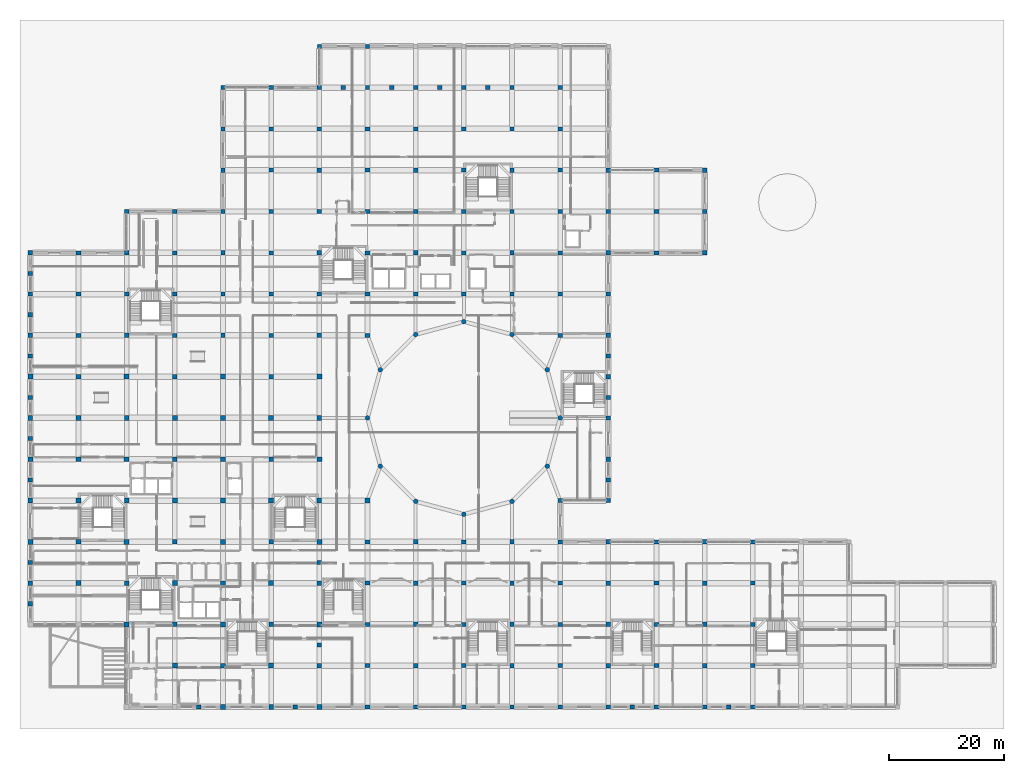
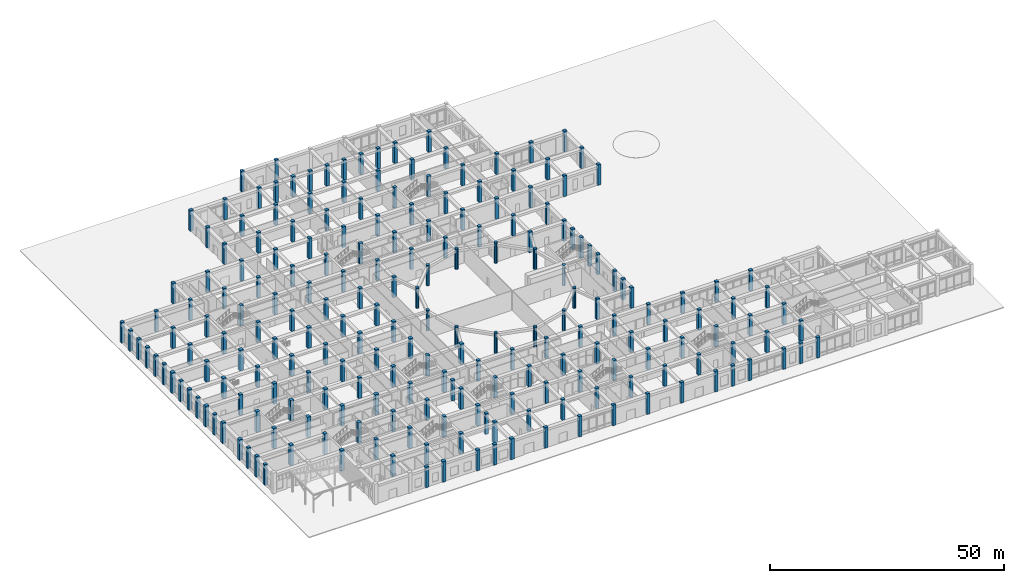
# One storey, part 2 of 84: 218 columns.
"""IFC4 building model written with IfcOpenShell, lengths in metres."""

import ifcopenshell
import ifcopenshell.guid

model = None  # the IFC model being written
_history = None  # IfcOwnerHistory: only IFC2X3 demands one
_inside = {}  # id of a spatial element -> (the spatial element, [elements in it])
_under = {}  # id of a project, library or spatial element -> (it, [spatial elements below it])
_declared = {}  # id of a project -> (the project, [libraries it declares])
_typed = {}  # id of a type object -> (the type object, [elements of that type])
_made_of = {}  # id of a material, layer set ... -> (it, [elements and type objects made of it])


def new_model(schema):
    """Start an empty IFC model of exactly this schema.

    Asked for "IFC4X3", IfcOpenShell would pick the latest addendum, in which some entities
    have other attributes; the version numbers below select the first issue.
    IFC2X3 requires an IfcOwnerHistory on every rooted entity: one is made here for all.
    """
    global model, _history
    if schema == "IFC4X3":
        model = ifcopenshell.file(schema_version=(4, 3, 0, 0))
    else:
        model = ifcopenshell.file(schema=schema)
    _inside.clear()
    _under.clear()
    _declared.clear()
    _typed.clear()
    _made_of.clear()
    _history = None
    if model.schema == "IFC2X3":
        org = make("IfcOrganization", Name="unknown")
        user = make(
            "IfcPersonAndOrganization",
            ThePerson=make("IfcPerson", FamilyName="unknown"),
            TheOrganization=org,
        )
        app = make(
            "IfcApplication",
            ApplicationDeveloper=org,
            Version="unknown",
            ApplicationFullName="unknown",
            ApplicationIdentifier="unknown",
        )
        _history = make(
            "IfcOwnerHistory",
            OwningUser=user,
            OwningApplication=app,
            ChangeAction="ADDED",
            CreationDate=0,
        )
    return model


def make(cls, **values):
    """One entity of the class cls with the attributes given. An attribute that is None is left unset."""
    return model.create_entity(
        cls, **{name: value for name, value in values.items() if value is not None}
    )


def rooted(cls, **values):
    """An entity with a GlobalId (a new one), such as an element, a storey or a relation."""
    return make(cls, GlobalId=ifcopenshell.guid.new(), OwnerHistory=_history, **values)


def si_unit(unit_type, name, prefix=None):
    """IfcSIUnit, for example si_unit("LENGTHUNIT", "METRE", prefix="MILLI")."""
    return make("IfcSIUnit", UnitType=unit_type, Prefix=prefix, Name=name)


def derived_unit(unit_type, elements):
    """IfcDerivedUnit: a product of units, each with its exponent."""
    return make(
        "IfcDerivedUnit",
        Elements=[
            make("IfcDerivedUnitElement", Unit=unit, Exponent=power)
            for unit, power in elements
        ],
        UnitType=unit_type,
    )


def assignment(units):
    """IfcUnitAssignment: the units of a project."""
    return None if units is None else make("IfcUnitAssignment", Units=units)


def point(xyz):
    """IfcCartesianPoint."""
    return None if xyz is None else make("IfcCartesianPoint", Coordinates=xyz)


def direction(xyz):
    """IfcDirection."""
    return None if xyz is None else make("IfcDirection", DirectionRatios=xyz)


def frame(location, z_axis=None, x_axis=None):
    """IfcAxis2Placement3D, a coordinate frame: its origin and axes. An axis left out is left unset."""
    return make(
        "IfcAxis2Placement3D",
        Location=point(location),
        Axis=direction(z_axis),
        RefDirection=direction(x_axis),
    )


def frame_2d(location, x_axis=None):
    """IfcAxis2Placement2D, a coordinate frame in the plane: its origin and x axis."""
    return make(
        "IfcAxis2Placement2D", Location=point(location), RefDirection=direction(x_axis)
    )


def origin():
    """The frame at (0, 0, 0) with its axes left unset."""
    return frame((0.0, 0.0, 0.0))


def origin_2d():
    """The frame at (0, 0) in the plane with its x axis left unset."""
    return frame_2d((0.0, 0.0))


def place(relative_to, where):
    """IfcLocalPlacement: puts the frame where relative to a parent placement (None: the world)."""
    return make(
        "IfcLocalPlacement", PlacementRelTo=relative_to, RelativePlacement=where
    )


def context(
    kind, dimensions, precision=None, world=None, true_north=None, identifier=None
):
    """IfcGeometricRepresentationContext, for example the 3D "Model" context."""
    return make(
        "IfcGeometricRepresentationContext",
        ContextIdentifier=identifier,
        ContextType=kind,
        CoordinateSpaceDimension=dimensions,
        Precision=precision,
        WorldCoordinateSystem=world,
        TrueNorth=true_north,
    )


def subcontext(parent, identifier, kind, view, scale=None):
    """IfcGeometricRepresentationSubContext, for example "Body" below "Model"."""
    return make(
        "IfcGeometricRepresentationSubContext",
        ContextIdentifier=identifier,
        ContextType=kind,
        ParentContext=parent,
        TargetScale=scale,
        TargetView=view,
    )


def project(units=None, contexts=None):
    """IfcProject with its units and contexts."""
    return rooted(
        "IfcProject",
        Name="project",
        RepresentationContexts=contexts,
        UnitsInContext=assignment(units),
    )


def spatial(cls, under=None, at=None, **own):
    """A site, building, storey or space (cls), placed at a placement, below another one or the project."""
    s = rooted(cls, ObjectPlacement=at, **own)
    if under is not None:
        _under.setdefault(under.id(), (under, []))[1].append(s)
    return s


def profile(cls, at=None, kind="AREA", **sizes):
    """A parametric profile (cls). Its sizes go by their IFC names, for example OverallWidth=200.0."""
    return make(cls, ProfileType=kind, Position=at, **sizes)


def rectangle(**sizes):
    """IfcRectangleProfileDef."""
    return profile("IfcRectangleProfileDef", **sizes)


def circle(**sizes):
    """IfcCircleProfileDef."""
    return profile("IfcCircleProfileDef", **sizes)


def extrude(swept, where, along, depth):
    """IfcExtrudedAreaSolid: the profile swept, set in the frame where, extruded along a direction by depth."""
    return make(
        "IfcExtrudedAreaSolid",
        SweptArea=swept,
        Position=where,
        ExtrudedDirection=direction(along),
        Depth=depth,
    )


def shape(context_of_items, identifier, shape_type, items):
    """IfcShapeRepresentation: the items that make up one representation, for example the "Body"."""
    return make(
        "IfcShapeRepresentation",
        ContextOfItems=context_of_items,
        RepresentationIdentifier=identifier,
        RepresentationType=shape_type,
        Items=items,
    )


def material(Name=None, Category=None):
    """IfcMaterial."""
    return make("IfcMaterial", Name=Name, Category=Category)


def material_profile(
    of_material, cross_section, Name=None, Category=None, Priority=None
):
    """IfcMaterialProfile: a cross section and its material."""
    return make(
        "IfcMaterialProfile",
        Name=Name,
        Material=of_material,
        Profile=cross_section,
        Priority=Priority,
        Category=Category,
    )


def profile_set(profiles, Name=None, composite=None):
    """IfcMaterialProfileSet."""
    return make(
        "IfcMaterialProfileSet",
        Name=Name,
        MaterialProfiles=profiles,
        CompositeProfile=composite,
    )


def made_of(thing, what):
    """Note that an element or type object is made of a material, layer set ...; save() writes the relation."""
    if what is not None:
        _made_of.setdefault(what.id(), (what, []))[1].append(thing)
    return thing


def type_object(cls, material=None, **own):
    """A type object (cls), such as IfcWallType, which elements share."""
    return made_of(rooted(cls, **own), material)


def element(
    cls,
    number,
    at=None,
    inside=None,
    cuts=None,
    type_object=None,
    material=None,
    context=None,
    identifier="Body",
    shape_type=None,
    held_by="IfcProductDefinitionShape",
    body=None,
    shapes=None,
    **own,
):
    """One element of the class cls, such as IfcWall. Its Tag is "e" and its number.

    at: its placement. inside: the storey or other place that contains it. cuts: it is an
    opening in that element (IfcRelVoidsElement). A single representation is given by context,
    identifier, shape_type and body (its items); several are given by shapes. held_by: the class
    of the entity that holds the representations. save() writes the other relations.
    """
    e = rooted(cls, Tag="e%d" % number, ObjectPlacement=at, **own)
    if body is not None:
        shapes = [shape(context, identifier, shape_type, body)]
    if shapes is not None:
        e.Representation = make(held_by, Representations=shapes)
    if inside is not None:
        _inside.setdefault(inside.id(), (inside, []))[1].append(e)
    if cuts is not None:
        rooted(
            "IfcRelVoidsElement", RelatingBuildingElement=cuts, RelatedOpeningElement=e
        )
    if type_object is not None:
        _typed.setdefault(type_object.id(), (type_object, []))[1].append(e)
    return made_of(e, material)


def aggregate(whole, parts):
    """IfcRelAggregates: a whole, such as a stair, and the parts it consists of."""
    return rooted("IfcRelAggregates", RelatingObject=whole, RelatedObjects=parts)


def save(model, path):
    """Write the relations noted so far, then the file.

    IfcRelAggregates (storeys below a building ...), IfcRelContainedInSpatialStructure (elements
    in a storey), IfcRelDefinesByType, IfcRelAssociatesMaterial and IfcRelDeclares: one each for
    every whole, place, type object, material and project.
    """
    for whole, parts in _under.values():
        aggregate(whole, parts)
    for where, things in _inside.values():
        rooted(
            "IfcRelContainedInSpatialStructure",
            RelatedElements=things,
            RelatingStructure=where,
        )
    for kind, things in _typed.values():
        rooted("IfcRelDefinesByType", RelatedObjects=things, RelatingType=kind)
    for what, things in _made_of.values():
        rooted("IfcRelAssociatesMaterial", RelatedObjects=things, RelatingMaterial=what)
    for by, libraries in _declared.values():
        rooted("IfcRelDeclares", RelatingContext=by, RelatedDefinitions=libraries)
    model.write(path)


model = new_model("IFC4")

# Units and contexts
model_context = context("Model", 3, precision=1e-05, world=origin(), true_north=direction((0.0, 1.0)))
body_context = subcontext(model_context, "Body", "Model", "MODEL_VIEW")
ifc_project = project(units=[si_unit("LENGTHUNIT", "METRE"), si_unit("AREAUNIT", "SQUARE_METRE"), si_unit("VOLUMEUNIT", "CUBIC_METRE"), si_unit("PLANEANGLEUNIT", "RADIAN"), si_unit("MASSUNIT", "GRAM", prefix="KILO"), derived_unit("THERMALTRANSMITTANCEUNIT", [(si_unit("POWERUNIT", "WATT"), 1), (si_unit("LENGTHUNIT", "METRE"), -2), (si_unit("THERMODYNAMICTEMPERATUREUNIT", "KELVIN"), -1)])], contexts=[model_context])

# Site, building, storey
site_placement = place(None, origin())
site = spatial("IfcSite", under=ifc_project, at=site_placement, CompositionType="ELEMENT")
building_placement = place(site_placement, origin())
building = spatial("IfcBuilding", under=site, at=building_placement, Name="Veybourne Emporium", CompositionType="ELEMENT")
storey_placement = place(building_placement, origin())
storey = spatial("IfcBuildingStorey", under=building, at=storey_placement, Name="L00", CompositionType="ELEMENT", Elevation=0.0)

# Columns
ifc_material = material(Name="Concrete C40/50", Category="concrete")
ifc_material_profile_1 = material_profile(ifc_material, rectangle(XDim=0.85009765625, YDim=0.85009765625, at=origin_2d()), Name="RC 850x850")
ifc_profile_set_1 = profile_set([ifc_material_profile_1], Name="Concrete C40/50")
column_type_1 = type_object("IfcColumnType", Name="Col_C-01", PredefinedType="COLUMN", material=ifc_profile_set_1)
for number, where, z_axis, x_axis, name in (
    (1, (8.39990234375, 21.60009765625, 0.0), (0.0, 0.0, 1.0), (1.0, 0.0, 0.0), "Column C-01 L00 (1,3)"),
    (2, (8.39990234375, 36.0, 0.0), (0.0, 0.0, 1.0), (1.0, 0.0, 0.0), "Column C-01 L00 (1,5)"),
    (3, (8.39990234375, 50.39990234375, 0.0), (0.0, 0.0, 1.0), (1.0, 0.0, 0.0), "Column C-01 L00 (1,7)"),
    (4, (16.800048828125, 14.39990234375, 0.0), (0.0, 0.0, 1.0), (1.0, 0.0, 0.0), "Column C-01 L00 (2,2)"),
    (5, (16.800048828125, 28.800048828125, 0.0), (0.0, 0.0, 1.0), (1.0, 0.0, 0.0), "Column C-01 L00 (2,4)"),
    (6, (16.800048828125, 43.199951171875, 0.0), (0.0, 0.0, 1.0), (1.0, 0.0, 0.0), "Column C-01 L00 (2,6)"),
    (7, (16.800048828125, 57.60009765625, 0.0), (0.0, 0.0, 1.0), (1.0, 0.0, 0.0), "Column C-01 L00 (2,8)"),
    (8, (25.199951171875, 7.199951171875, 0.0), (0.0, 0.0, 1.0), (1.0, 0.0, 0.0), "Column C-01 L00 (3,1)"),
    (9, (25.199951171875, 21.60009765625, 0.0), (0.0, 0.0, 1.0), (1.0, 0.0, 0.0), "Column C-01 L00 (3,3)"),
    (10, (25.199951171875, 36.0, 0.0), (0.0, 0.0, 1.0), (1.0, 0.0, 0.0), "Column C-01 L00 (3,5)"),
    (11, (25.199951171875, 50.39990234375, 0.0), (0.0, 0.0, 1.0), (1.0, 0.0, 0.0), "Column C-01 L00 (3,7)"),
    (12, (33.60009765625, 14.39990234375, 0.0), (0.0, 0.0, 1.0), (1.0, 0.0, 0.0), "Column C-01 L00 (4,2)"),
    (13, (33.60009765625, 28.800048828125, 0.0), (0.0, 0.0, 1.0), (1.0, 0.0, 0.0), "Column C-01 L00 (4,4)"),
    (14, (33.60009765625, 43.199951171875, 0.0), (0.0, 0.0, 1.0), (1.0, 0.0, 0.0), "Column C-01 L00 (4,6)"),
    (15, (33.60009765625, 57.60009765625, 0.0), (0.0, 0.0, 1.0), (1.0, 0.0, 0.0), "Column C-01 L00 (4,8)"),
    (16, (42.0, 7.199951171875, 0.0), (0.0, 0.0, 1.0), (1.0, 0.0, 0.0), "Column C-01 L00 (5,1)"),
    (17, (42.0, 21.60009765625, 0.0), (0.0, 0.0, 1.0), (1.0, 0.0, 0.0), "Column C-01 L00 (5,3)"),
    (18, (42.0, 36.0, 0.0), (0.0, 0.0, 1.0), (1.0, 0.0, 0.0), "Column C-01 L00 (5,5)"),
    (19, (42.0, 50.39990234375, 0.0), (0.0, 0.0, 1.0), (1.0, 0.0, 0.0), "Column C-01 L00 (5,7)"),
    (20, (50.39990234375, 14.39990234375, 0.0), (0.0, 0.0, 1.0), (1.0, 0.0, 0.0), "Column C-01 L00 (6,2)"),
    (21, (50.39990234375, 28.800048828125, 0.0), (0.0, 0.0, 1.0), (1.0, 0.0, 0.0), "Column C-01 L00 (6,4)"),
    (22, (50.39990234375, 43.199951171875, 0.0), (0.0, 0.0, 1.0), (1.0, 0.0, 0.0), "Column C-01 L00 (6,6)"),
    (23, (50.39990234375, 57.60009765625, 0.0), (0.0, 0.0, 1.0), (1.0, 0.0, 0.0), "Column C-01 L00 (6,8)"),
    (24, (58.800048828125, 36.0, 0.0), (0.0, 0.0, 1.0), (1.0, 0.0, 0.0), "Column C-01 L00 (7,5)"),
):
    element("IfcColumn", number, at=place(storey_placement, frame(where, z_axis=z_axis, x_axis=x_axis)), inside=storey, type_object=column_type_1, Name=name, PredefinedType="COLUMN", context=body_context, shape_type="SweptSolid", body=[
        extrude(rectangle(XDim=0.85009765625, YDim=0.85009765625, at=origin_2d()), origin(), (0.0, 0.0, 1.0), 5.39990234375),
    ])
ifc_material_profile_2 = material_profile(ifc_material, rectangle(XDim=0.800048828125, YDim=0.800048828125, at=origin_2d()), Name="RC 800x800")
ifc_profile_set_2 = profile_set([ifc_material_profile_2], Name="Concrete C40/50")
column_type_2 = type_object("IfcColumnType", Name="Col_C-02", PredefinedType="COLUMN", material=ifc_profile_set_2)
for number, where, z_axis, x_axis, name in (
    (25, (8.39990234375, 28.800048828125, 0.0), (0.0, 0.0, 1.0), (1.0, 0.0, 0.0), "Column C-02 L00 (1,4)"),
    (26, (8.39990234375, 43.199951171875, 0.0), (0.0, 0.0, 1.0), (1.0, 0.0, 0.0), "Column C-02 L00 (1,6)"),
    (27, (8.39990234375, 57.60009765625, 0.0), (0.0, 0.0, 1.0), (1.0, 0.0, 0.0), "Column C-02 L00 (1,8)"),
    (28, (16.800048828125, 21.60009765625, 0.0), (0.0, 0.0, 1.0), (1.0, 0.0, 0.0), "Column C-02 L00 (2,3)"),
    (29, (16.800048828125, 36.0, 0.0), (0.0, 0.0, 1.0), (1.0, 0.0, 0.0), "Column C-02 L00 (2,5)"),
    (30, (16.800048828125, 50.39990234375, 0.0), (0.0, 0.0, 1.0), (1.0, 0.0, 0.0), "Column C-02 L00 (2,7)"),
    (31, (25.199951171875, 14.39990234375, 0.0), (0.0, 0.0, 1.0), (1.0, 0.0, 0.0), "Column C-02 L00 (3,2)"),
    (32, (25.199951171875, 28.800048828125, 0.0), (0.0, 0.0, 1.0), (1.0, 0.0, 0.0), "Column C-02 L00 (3,4)"),
    (33, (25.199951171875, 43.199951171875, 0.0), (0.0, 0.0, 1.0), (1.0, 0.0, 0.0), "Column C-02 L00 (3,6)"),
    (34, (25.199951171875, 57.60009765625, 0.0), (0.0, 0.0, 1.0), (1.0, 0.0, 0.0), "Column C-02 L00 (3,8)"),
    (35, (33.60009765625, 7.199951171875, 0.0), (0.0, 0.0, 1.0), (1.0, 0.0, 0.0), "Column C-02 L00 (4,1)"),
    (36, (33.60009765625, 21.60009765625, 0.0), (0.0, 0.0, 1.0), (1.0, 0.0, 0.0), "Column C-02 L00 (4,3)"),
    (37, (33.60009765625, 36.0, 0.0), (0.0, 0.0, 1.0), (1.0, 0.0, 0.0), "Column C-02 L00 (4,5)"),
    (38, (33.60009765625, 50.39990234375, 0.0), (0.0, 0.0, 1.0), (1.0, 0.0, 0.0), "Column C-02 L00 (4,7)"),
    (39, (42.0, 14.39990234375, 0.0), (0.0, 0.0, 1.0), (1.0, 0.0, 0.0), "Column C-02 L00 (5,2)"),
    (40, (42.0, 28.800048828125, 0.0), (0.0, 0.0, 1.0), (1.0, 0.0, 0.0), "Column C-02 L00 (5,4)"),
    (41, (42.0, 43.199951171875, 0.0), (0.0, 0.0, 1.0), (1.0, 0.0, 0.0), "Column C-02 L00 (5,6)"),
    (42, (42.0, 57.60009765625, 0.0), (0.0, 0.0, 1.0), (1.0, 0.0, 0.0), "Column C-02 L00 (5,8)"),
    (43, (50.39990234375, 7.199951171875, 0.0), (0.0, 0.0, 1.0), (1.0, 0.0, 0.0), "Column C-02 L00 (6,1)"),
    (44, (50.39990234375, 21.60009765625, 0.0), (0.0, 0.0, 1.0), (1.0, 0.0, 0.0), "Column C-02 L00 (6,3)"),
    (45, (50.39990234375, 36.0, 0.0), (0.0, 0.0, 1.0), (1.0, 0.0, 0.0), "Column C-02 L00 (6,5)"),
    (46, (50.39990234375, 50.39990234375, 0.0), (0.0, 0.0, 1.0), (1.0, 0.0, 0.0), "Column C-02 L00 (6,7)"),
):
    element("IfcColumn", number, at=place(storey_placement, frame(where, z_axis=z_axis, x_axis=x_axis)), inside=storey, type_object=column_type_2, Name=name, PredefinedType="COLUMN", context=body_context, shape_type="SweptSolid", body=[
        extrude(rectangle(XDim=0.800048828125, YDim=0.800048828125, at=origin_2d()), origin(), (0.0, 0.0, 1.0), 5.39990234375),
    ])
ifc_material_profile_3 = material_profile(ifc_material, rectangle(XDim=0.75, YDim=0.75, at=origin_2d()), Name="RC 750x750")
ifc_profile_set_3 = profile_set([ifc_material_profile_3], Name="Concrete C40/50")
column_type_3 = type_object("IfcColumnType", Name="Col_C-03", PredefinedType="COLUMN", material=ifc_profile_set_3)
for number, where, z_axis, x_axis, name in (
    (47, (16.800048828125, 64.800048828125, 0.0), (0.0, 0.0, 1.0), (1.0, 0.0, 0.0), "Column C-03 L00 (2,9)"),
    (48, (16.800048828125, 72.0, 0.0), (0.0, 0.0, 1.0), (1.0, 0.0, 0.0), "Column C-03 L00 (2,10)"),
    (49, (16.800048828125, 79.199951171875, 0.0), (0.0, 0.0, 1.0), (1.0, 0.0, 0.0), "Column C-03 L00 (2,11)"),
    (50, (16.800048828125, 86.39990234375, 0.0), (0.0, 0.0, 1.0), (1.0, 0.0, 0.0), "Column C-03 L00 (2,12)"),
    (51, (33.60009765625, 64.800048828125, 0.0), (0.0, 0.0, 1.0), (1.0, 0.0, 0.0), "Column C-03 L00 (4,9)"),
    (52, (33.60009765625, 72.0, 0.0), (0.0, 0.0, 1.0), (1.0, 0.0, 0.0), "Column C-03 L00 (4,10)"),
    (53, (33.60009765625, 79.199951171875, 0.0), (0.0, 0.0, 1.0), (1.0, 0.0, 0.0), "Column C-03 L00 (4,11)"),
    (54, (33.60009765625, 86.39990234375, 0.0), (0.0, 0.0, 1.0), (1.0, 0.0, 0.0), "Column C-03 L00 (4,12)"),
    (55, (33.60009765625, 93.60009765625, 0.0), (0.0, 0.0, 1.0), (1.0, 0.0, 0.0), "Column C-03 L00 (4,13)"),
    (56, (33.60009765625, 100.800048828125, 0.0), (0.0, 0.0, 1.0), (1.0, 0.0, 0.0), "Column C-03 L00 (4,14)"),
    (57, (50.39990234375, 64.800048828125, 0.0), (0.0, 0.0, 1.0), (1.0, 0.0, 0.0), "Column C-03 L00 (6,9)"),
    (58, (50.39990234375, 72.0, 0.0), (0.0, 0.0, 1.0), (1.0, 0.0, 0.0), "Column C-03 L00 (6,10)"),
    (59, (50.39990234375, 79.199951171875, 0.0), (0.0, 0.0, 1.0), (1.0, 0.0, 0.0), "Column C-03 L00 (6,11)"),
    (60, (50.39990234375, 86.39990234375, 0.0), (0.0, 0.0, 1.0), (1.0, 0.0, 0.0), "Column C-03 L00 (6,12)"),
    (61, (50.39990234375, 93.60009765625, 0.0), (0.0, 0.0, 1.0), (1.0, 0.0, 0.0), "Column C-03 L00 (6,13)"),
    (62, (50.39990234375, 100.800048828125, 0.0), (0.0, 0.0, 1.0), (1.0, 0.0, 0.0), "Column C-03 L00 (6,14)"),
    (63, (67.199951171875, 7.199951171875, 0.0), (0.0, 0.0, 1.0), (1.0, 0.0, 0.0), "Column C-03 L00 (8,1)"),
    (64, (67.199951171875, 14.39990234375, 0.0), (0.0, 0.0, 1.0), (1.0, 0.0, 0.0), "Column C-03 L00 (8,2)"),
    (65, (67.199951171875, 21.60009765625, 0.0), (0.0, 0.0, 1.0), (1.0, 0.0, 0.0), "Column C-03 L00 (8,3)"),
    (66, (67.199951171875, 28.800048828125, 0.0), (0.0, 0.0, 1.0), (1.0, 0.0, 0.0), "Column C-03 L00 (8,4)"),
    (67, (67.199951171875, 72.0, 0.0), (0.0, 0.0, 1.0), (1.0, 0.0, 0.0), "Column C-03 L00 (8,10)"),
    (68, (67.199951171875, 79.199951171875, 0.0), (0.0, 0.0, 1.0), (1.0, 0.0, 0.0), "Column C-03 L00 (8,11)"),
    (69, (67.199951171875, 86.39990234375, 0.0), (0.0, 0.0, 1.0), (1.0, 0.0, 0.0), "Column C-03 L00 (8,12)"),
    (70, (67.199951171875, 93.60009765625, 0.0), (0.0, 0.0, 1.0), (1.0, 0.0, 0.0), "Column C-03 L00 (8,13)"),
    (71, (67.199951171875, 100.800048828125, 0.0), (0.0, 0.0, 1.0), (1.0, 0.0, 0.0), "Column C-03 L00 (8,14)"),
    (72, (84.0, 7.199951171875, 0.0), (0.0, 0.0, 1.0), (1.0, 0.0, 0.0), "Column C-03 L00 (10,1)"),
    (73, (84.0, 14.39990234375, 0.0), (0.0, 0.0, 1.0), (1.0, 0.0, 0.0), "Column C-03 L00 (10,2)"),
    (74, (84.0, 21.60009765625, 0.0), (0.0, 0.0, 1.0), (1.0, 0.0, 0.0), "Column C-03 L00 (10,3)"),
    (75, (84.0, 28.800048828125, 0.0), (0.0, 0.0, 1.0), (1.0, 0.0, 0.0), "Column C-03 L00 (10,4)"),
    (76, (84.0, 72.0, 0.0), (0.0, 0.0, 1.0), (1.0, 0.0, 0.0), "Column C-03 L00 (10,10)"),
    (77, (84.0, 79.199951171875, 0.0), (0.0, 0.0, 1.0), (1.0, 0.0, 0.0), "Column C-03 L00 (10,11)"),
    (78, (84.0, 86.39990234375, 0.0), (0.0, 0.0, 1.0), (1.0, 0.0, 0.0), "Column C-03 L00 (10,12)"),
    (79, (84.0, 93.60009765625, 0.0), (0.0, 0.0, 1.0), (1.0, 0.0, 0.0), "Column C-03 L00 (10,13)"),
    (80, (84.0, 100.800048828125, 0.0), (0.0, 0.0, 1.0), (1.0, 0.0, 0.0), "Column C-03 L00 (10,14)"),
    (81, (100.800048828125, 7.199951171875, 0.0), (0.0, 0.0, 1.0), (1.0, 0.0, 0.0), "Column C-03 L00 (12,1)"),
    (82, (100.800048828125, 14.39990234375, 0.0), (0.0, 0.0, 1.0), (1.0, 0.0, 0.0), "Column C-03 L00 (12,2)"),
    (83, (100.800048828125, 21.60009765625, 0.0), (0.0, 0.0, 1.0), (1.0, 0.0, 0.0), "Column C-03 L00 (12,3)"),
    (84, (100.800048828125, 28.800048828125, 0.0), (0.0, 0.0, 1.0), (1.0, 0.0, 0.0), "Column C-03 L00 (12,4)"),
    (85, (100.800048828125, 36.0, 0.0), (0.0, 0.0, 1.0), (1.0, 0.0, 0.0), "Column C-03 L00 (12,5)"),
    (86, (100.800048828125, 43.199951171875, 0.0), (0.0, 0.0, 1.0), (1.0, 0.0, 0.0), "Column C-03 L00 (12,6)"),
    (87, (100.800048828125, 50.39990234375, 0.0), (0.0, 0.0, 1.0), (1.0, 0.0, 0.0), "Column C-03 L00 (12,7)"),
    (88, (100.800048828125, 57.60009765625, 0.0), (0.0, 0.0, 1.0), (1.0, 0.0, 0.0), "Column C-03 L00 (12,8)"),
    (89, (100.800048828125, 64.800048828125, 0.0), (0.0, 0.0, 1.0), (1.0, 0.0, 0.0), "Column C-03 L00 (12,9)"),
    (90, (100.800048828125, 72.0, 0.0), (0.0, 0.0, 1.0), (1.0, 0.0, 0.0), "Column C-03 L00 (12,10)"),
    (91, (100.800048828125, 79.199951171875, 0.0), (0.0, 0.0, 1.0), (1.0, 0.0, 0.0), "Column C-03 L00 (12,11)"),
    (92, (100.800048828125, 86.39990234375, 0.0), (0.0, 0.0, 1.0), (1.0, 0.0, 0.0), "Column C-03 L00 (12,12)"),
    (93, (100.800048828125, 93.60009765625, 0.0), (0.0, 0.0, 1.0), (1.0, 0.0, 0.0), "Column C-03 L00 (12,13)"),
    (94, (117.60009765625, 7.199951171875, 0.0), (0.0, 0.0, 1.0), (1.0, 0.0, 0.0), "Column C-03 L00 (14,1)"),
    (95, (117.60009765625, 14.39990234375, 0.0), (0.0, 0.0, 1.0), (1.0, 0.0, 0.0), "Column C-03 L00 (14,2)"),
    (96, (117.60009765625, 21.60009765625, 0.0), (0.0, 0.0, 1.0), (1.0, 0.0, 0.0), "Column C-03 L00 (14,3)"),
    (97, (117.60009765625, 28.800048828125, 0.0), (0.0, 0.0, 1.0), (1.0, 0.0, 0.0), "Column C-03 L00 (14,4)"),
    (98, (117.60009765625, 79.199951171875, 0.0), (0.0, 0.0, 1.0), (1.0, 0.0, 0.0), "Column C-03 L00 (14,11)"),
    (99, (117.60009765625, 86.39990234375, 0.0), (0.0, 0.0, 1.0), (1.0, 0.0, 0.0), "Column C-03 L00 (14,12)"),
    (100, (117.60009765625, 93.60009765625, 0.0), (0.0, 0.0, 1.0), (1.0, 0.0, 0.0), "Column C-03 L00 (14,13)"),
):
    element("IfcColumn", number, at=place(storey_placement, frame(where, z_axis=z_axis, x_axis=x_axis)), inside=storey, type_object=column_type_3, Name=name, PredefinedType="COLUMN", context=body_context, shape_type="SweptSolid", body=[
        extrude(rectangle(XDim=0.75, YDim=0.75, at=origin_2d()), origin(), (0.0, 0.0, 1.0), 5.39990234375),
    ])
ifc_material_profile_4 = material_profile(ifc_material, rectangle(XDim=0.800048828125, YDim=0.699951171875, at=origin_2d()), Name="RC 800x700")
ifc_profile_set_4 = profile_set([ifc_material_profile_4], Name="Concrete C40/50")
column_type_4 = type_object("IfcColumnType", Name="Col_C-10", PredefinedType="COLUMN", material=ifc_profile_set_4)
for number, where, z_axis, x_axis, name in (
    (101, (8.39990234375, 64.800048828125, 0.0), (0.0, 0.0, 1.0), (1.0, 0.0, 0.0), "Column C-10 L00 (1,9)"),
    (102, (8.39990234375, 72.0, 0.0), (0.0, 0.0, 1.0), (1.0, 0.0, 0.0), "Column C-10 L00 (1,10)"),
    (103, (8.39990234375, 79.199951171875, 0.0), (0.0, 0.0, 1.0), (1.0, 0.0, 0.0), "Column C-10 L00 (1,11)"),
    (104, (25.199951171875, 64.800048828125, 0.0), (0.0, 0.0, 1.0), (1.0, 0.0, 0.0), "Column C-10 L00 (3,9)"),
    (105, (25.199951171875, 72.0, 0.0), (0.0, 0.0, 1.0), (1.0, 0.0, 0.0), "Column C-10 L00 (3,10)"),
    (106, (25.199951171875, 79.199951171875, 0.0), (0.0, 0.0, 1.0), (1.0, 0.0, 0.0), "Column C-10 L00 (3,11)"),
    (107, (25.199951171875, 86.39990234375, 0.0), (0.0, 0.0, 1.0), (1.0, 0.0, 0.0), "Column C-10 L00 (3,12)"),
    (108, (42.0, 64.800048828125, 0.0), (0.0, 0.0, 1.0), (1.0, 0.0, 0.0), "Column C-10 L00 (5,9)"),
    (109, (42.0, 72.0, 0.0), (0.0, 0.0, 1.0), (1.0, 0.0, 0.0), "Column C-10 L00 (5,10)"),
    (110, (42.0, 79.199951171875, 0.0), (0.0, 0.0, 1.0), (1.0, 0.0, 0.0), "Column C-10 L00 (5,11)"),
    (111, (42.0, 86.39990234375, 0.0), (0.0, 0.0, 1.0), (1.0, 0.0, 0.0), "Column C-10 L00 (5,12)"),
    (112, (42.0, 93.60009765625, 0.0), (0.0, 0.0, 1.0), (1.0, 0.0, 0.0), "Column C-10 L00 (5,13)"),
    (113, (42.0, 100.800048828125, 0.0), (0.0, 0.0, 1.0), (1.0, 0.0, 0.0), "Column C-10 L00 (5,14)"),
    (114, (58.800048828125, 7.199951171875, 0.0), (0.0, 0.0, 1.0), (1.0, 0.0, 0.0), "Column C-10 L00 (7,1)"),
    (115, (58.800048828125, 14.39990234375, 0.0), (0.0, 0.0, 1.0), (1.0, 0.0, 0.0), "Column C-10 L00 (7,2)"),
    (116, (58.800048828125, 21.60009765625, 0.0), (0.0, 0.0, 1.0), (1.0, 0.0, 0.0), "Column C-10 L00 (7,3)"),
    (117, (58.800048828125, 28.800048828125, 0.0), (0.0, 0.0, 1.0), (1.0, 0.0, 0.0), "Column C-10 L00 (7,4)"),
    (118, (58.800048828125, 64.800048828125, 0.0), (0.0, 0.0, 1.0), (1.0, 0.0, 0.0), "Column C-10 L00 (7,9)"),
    (119, (58.800048828125, 72.0, 0.0), (0.0, 0.0, 1.0), (1.0, 0.0, 0.0), "Column C-10 L00 (7,10)"),
    (120, (58.800048828125, 79.199951171875, 0.0), (0.0, 0.0, 1.0), (1.0, 0.0, 0.0), "Column C-10 L00 (7,11)"),
    (121, (58.800048828125, 86.39990234375, 0.0), (0.0, 0.0, 1.0), (1.0, 0.0, 0.0), "Column C-10 L00 (7,12)"),
    (122, (58.800048828125, 93.60009765625, 0.0), (0.0, 0.0, 1.0), (1.0, 0.0, 0.0), "Column C-10 L00 (7,13)"),
    (123, (58.800048828125, 100.800048828125, 0.0), (0.0, 0.0, 1.0), (1.0, 0.0, 0.0), "Column C-10 L00 (7,14)"),
    (124, (75.60009765625, 7.199951171875, 0.0), (0.0, 0.0, 1.0), (1.0, 0.0, 0.0), "Column C-10 L00 (9,1)"),
    (125, (75.60009765625, 14.39990234375, 0.0), (0.0, 0.0, 1.0), (1.0, 0.0, 0.0), "Column C-10 L00 (9,2)"),
    (126, (75.60009765625, 21.60009765625, 0.0), (0.0, 0.0, 1.0), (1.0, 0.0, 0.0), "Column C-10 L00 (9,3)"),
    (127, (75.60009765625, 28.800048828125, 0.0), (0.0, 0.0, 1.0), (1.0, 0.0, 0.0), "Column C-10 L00 (9,4)"),
    (128, (75.60009765625, 72.0, 0.0), (0.0, 0.0, 1.0), (1.0, 0.0, 0.0), "Column C-10 L00 (9,10)"),
    (129, (75.60009765625, 79.199951171875, 0.0), (0.0, 0.0, 1.0), (1.0, 0.0, 0.0), "Column C-10 L00 (9,11)"),
    (130, (75.60009765625, 86.39990234375, 0.0), (0.0, 0.0, 1.0), (1.0, 0.0, 0.0), "Column C-10 L00 (9,12)"),
    (131, (75.60009765625, 93.60009765625, 0.0), (0.0, 0.0, 1.0), (1.0, 0.0, 0.0), "Column C-10 L00 (9,13)"),
    (132, (75.60009765625, 100.800048828125, 0.0), (0.0, 0.0, 1.0), (1.0, 0.0, 0.0), "Column C-10 L00 (9,14)"),
    (133, (92.39990234375, 7.199951171875, 0.0), (0.0, 0.0, 1.0), (1.0, 0.0, 0.0), "Column C-10 L00 (11,1)"),
    (134, (92.39990234375, 14.39990234375, 0.0), (0.0, 0.0, 1.0), (1.0, 0.0, 0.0), "Column C-10 L00 (11,2)"),
    (135, (92.39990234375, 21.60009765625, 0.0), (0.0, 0.0, 1.0), (1.0, 0.0, 0.0), "Column C-10 L00 (11,3)"),
    (136, (92.39990234375, 28.800048828125, 0.0), (0.0, 0.0, 1.0), (1.0, 0.0, 0.0), "Column C-10 L00 (11,4)"),
    (137, (92.39990234375, 36.0, 0.0), (0.0, 0.0, 1.0), (1.0, 0.0, 0.0), "Column C-10 L00 (11,5)"),
    (138, (92.39990234375, 64.800048828125, 0.0), (0.0, 0.0, 1.0), (1.0, 0.0, 0.0), "Column C-10 L00 (11,9)"),
    (139, (92.39990234375, 72.0, 0.0), (0.0, 0.0, 1.0), (1.0, 0.0, 0.0), "Column C-10 L00 (11,10)"),
    (140, (92.39990234375, 79.199951171875, 0.0), (0.0, 0.0, 1.0), (1.0, 0.0, 0.0), "Column C-10 L00 (11,11)"),
    (141, (92.39990234375, 86.39990234375, 0.0), (0.0, 0.0, 1.0), (1.0, 0.0, 0.0), "Column C-10 L00 (11,12)"),
    (142, (92.39990234375, 93.60009765625, 0.0), (0.0, 0.0, 1.0), (1.0, 0.0, 0.0), "Column C-10 L00 (11,13)"),
    (143, (92.39990234375, 100.800048828125, 0.0), (0.0, 0.0, 1.0), (1.0, 0.0, 0.0), "Column C-10 L00 (11,14)"),
    (144, (109.199951171875, 7.199951171875, 0.0), (0.0, 0.0, 1.0), (1.0, 0.0, 0.0), "Column C-10 L00 (13,1)"),
    (145, (109.199951171875, 14.39990234375, 0.0), (0.0, 0.0, 1.0), (1.0, 0.0, 0.0), "Column C-10 L00 (13,2)"),
    (146, (109.199951171875, 21.60009765625, 0.0), (0.0, 0.0, 1.0), (1.0, 0.0, 0.0), "Column C-10 L00 (13,3)"),
    (147, (109.199951171875, 28.800048828125, 0.0), (0.0, 0.0, 1.0), (1.0, 0.0, 0.0), "Column C-10 L00 (13,4)"),
    (148, (109.199951171875, 79.199951171875, 0.0), (0.0, 0.0, 1.0), (1.0, 0.0, 0.0), "Column C-10 L00 (13,11)"),
    (149, (109.199951171875, 86.39990234375, 0.0), (0.0, 0.0, 1.0), (1.0, 0.0, 0.0), "Column C-10 L00 (13,12)"),
    (150, (109.199951171875, 93.60009765625, 0.0), (0.0, 0.0, 1.0), (1.0, 0.0, 0.0), "Column C-10 L00 (13,13)"),
    (151, (126.0, 7.199951171875, 0.0), (0.0, 0.0, 1.0), (1.0, 0.0, 0.0), "Column C-10 L00 (15,1)"),
    (152, (126.0, 14.39990234375, 0.0), (0.0, 0.0, 1.0), (1.0, 0.0, 0.0), "Column C-10 L00 (15,2)"),
    (153, (126.0, 21.60009765625, 0.0), (0.0, 0.0, 1.0), (1.0, 0.0, 0.0), "Column C-10 L00 (15,3)"),
    (154, (126.0, 28.800048828125, 0.0), (0.0, 0.0, 1.0), (1.0, 0.0, 0.0), "Column C-10 L00 (15,4)"),
):
    element("IfcColumn", number, at=place(storey_placement, frame(where, z_axis=z_axis, x_axis=x_axis)), inside=storey, type_object=column_type_4, Name=name, PredefinedType="COLUMN", context=body_context, shape_type="SweptSolid", body=[
        extrude(rectangle(XDim=0.800048828125, YDim=0.699951171875, at=origin_2d()), origin(), (0.0, 0.0, 1.0), 5.39990234375),
    ])
ifc_material_profile_5 = material_profile(ifc_material, rectangle(XDim=0.780029296875, YDim=0.719970703125, at=origin_2d()), Name="RC 780x720")
ifc_profile_set_5 = profile_set([ifc_material_profile_5], Name="Concrete C40/50")
column_type_5 = type_object("IfcColumnType", Name="Col_C-11", PredefinedType="PILASTER", material=ifc_profile_set_5)
for number, where, z_axis, x_axis, name in (
    (155, (33.60009765625, 108.0, 0.0), (0.0, 0.0, 1.0), (1.0, 0.0, 0.0), "Column C-11 L00 (4,15)"),
    (156, (42.0, 108.0, 0.0), (0.0, 0.0, 1.0), (1.0, 0.0, 0.0), "Column C-11 L00 (5,15)"),
    (157, (50.39990234375, 108.0, 0.0), (0.0, 0.0, 1.0), (1.0, 0.0, 0.0), "Column C-11 L00 (6,15)"),
    (158, (58.800048828125, 108.0, 0.0), (0.0, 0.0, 1.0), (1.0, 0.0, 0.0), "Column C-11 L00 (7,15)"),
    (159, (67.199951171875, 108.0, 0.0), (0.0, 0.0, 1.0), (1.0, 0.0, 0.0), "Column C-11 L00 (8,15)"),
    (160, (75.60009765625, 108.0, 0.0), (0.0, 0.0, 1.0), (1.0, 0.0, 0.0), "Column C-11 L00 (9,15)"),
    (161, (84.0, 108.0, 0.0), (0.0, 0.0, 1.0), (1.0, 0.0, 0.0), "Column C-11 L00 (10,15)"),
    (162, (92.39990234375, 108.0, 0.0), (0.0, 0.0, 1.0), (1.0, 0.0, 0.0), "Column C-11 L00 (11,15)"),
):
    element("IfcColumn", number, at=place(storey_placement, frame(where, z_axis=z_axis, x_axis=x_axis)), inside=storey, type_object=column_type_5, Name=name, PredefinedType="PILASTER", context=body_context, shape_type="SweptSolid", body=[
        extrude(rectangle(XDim=0.780029296875, YDim=0.719970703125, at=origin_2d()), origin(), (0.0, 0.0, 1.0), 5.39990234375),
    ])
ifc_material_profile_6 = material_profile(ifc_material, circle(Radius=0.39990234375, at=origin_2d()), Name="RC D800")
ifc_profile_set_6 = profile_set([ifc_material_profile_6], Name="Concrete C40/50")
column_type_6 = type_object("IfcColumnType", Name="Col_CD-01", PredefinedType="COLUMN", material=ifc_profile_set_6)
for number, where, z_axis, x_axis, name in (
    (163, (92.39990234375, 50.39990234375, 0.0), (0.0, 0.0, 1.0), (1.0, 0.0, 0.0), "Atrium drum column CD-01 L00-01"),
    (164, (90.149169921875, 58.800048828125, 0.0), (0.0, 0.0, 1.0), (1.0, 0.0, 0.0), "Atrium drum column CD-01 L00-02"),
    (165, (84.0, 64.94921875, 0.0), (0.0, 0.0, 1.0), (1.0, 0.0, 0.0), "Atrium drum column CD-01 L00-03"),
    (166, (75.60009765625, 67.199951171875, 0.0), (0.0, 0.0, 1.0), (1.0, 0.0, 0.0), "Atrium drum column CD-01 L00-04"),
    (167, (67.199951171875, 64.94921875, 0.0), (0.0, 0.0, 1.0), (1.0, 0.0, 0.0), "Atrium drum column CD-01 L00-05"),
    (168, (61.05078125, 58.800048828125, 0.0), (0.0, 0.0, 1.0), (1.0, 0.0, 0.0), "Atrium drum column CD-01 L00-06"),
    (169, (58.800048828125, 50.39990234375, 0.0), (0.0, 0.0, 1.0), (1.0, 0.0, 0.0), "Atrium drum column CD-01 L00-07"),
    (170, (61.05078125, 42.0, 0.0), (0.0, 0.0, 1.0), (1.0, 0.0, 0.0), "Atrium drum column CD-01 L00-08"),
    (171, (67.199951171875, 35.850830078125, 0.0), (0.0, 0.0, 1.0), (1.0, 0.0, 0.0), "Atrium drum column CD-01 L00-09"),
    (172, (75.60009765625, 33.60009765625, 0.0), (0.0, 0.0, 1.0), (1.0, 0.0, 0.0), "Atrium drum column CD-01 L00-10"),
    (173, (84.0, 35.850830078125, 0.0), (0.0, 0.0, 1.0), (1.0, 0.0, 0.0), "Atrium drum column CD-01 L00-11"),
    (174, (90.149169921875, 42.0, 0.0), (0.0, 0.0, 1.0), (1.0, 0.0, 0.0), "Atrium drum column CD-01 L00-12"),
):
    element("IfcColumn", number, at=place(storey_placement, frame(where, z_axis=z_axis, x_axis=x_axis)), inside=storey, type_object=column_type_6, Name=name, PredefinedType="COLUMN", context=body_context, shape_type="SweptSolid", body=[
        extrude(circle(Radius=0.39990234375, at=origin_2d()), origin(), (0.0, 0.0, 1.0), 5.39990234375),
    ])
ifc_material_profile_7 = material_profile(ifc_material, rectangle(XDim=0.85009765625, YDim=0.85009765625, at=origin_2d()), Name="RC 850x850")
ifc_profile_set_7 = profile_set([ifc_material_profile_7], Name="Concrete C40/50")
column_type_7 = type_object("IfcColumnType", Name="Col_CE-01", PredefinedType="COLUMN", material=ifc_profile_set_7)
for number, where, z_axis, x_axis, name in (
    (175, (0.0, 28.800048828125, 0.0), (0.0, 0.0, 1.0), (1.0, 0.0, 0.0), "Column CE-01 L00 (0,4)"),
    (176, (0.0, 43.199951171875, 0.0), (0.0, 0.0, 1.0), (1.0, 0.0, 0.0), "Column CE-01 L00 (0,6)"),
    (177, (0.0, 57.60009765625, 0.0), (0.0, 0.0, 1.0), (1.0, 0.0, 0.0), "Column CE-01 L00 (0,8)"),
    (178, (33.60009765625, 0.0, 0.0), (0.0, 0.0, 1.0), (1.0, 0.0, 0.0), "Column CE-01 L00 (4,0)"),
    (179, (50.39990234375, 0.0, 0.0), (0.0, 0.0, 1.0), (1.0, 0.0, 0.0), "Column CE-01 L00 (6,0)"),
):
    element("IfcColumn", number, at=place(storey_placement, frame(where, z_axis=z_axis, x_axis=x_axis)), inside=storey, type_object=column_type_7, Name=name, PredefinedType="COLUMN", context=body_context, shape_type="SweptSolid", body=[
        extrude(rectangle(XDim=0.85009765625, YDim=0.85009765625, at=origin_2d()), origin(), (0.0, 0.0, 1.0), 5.39990234375),
    ])
ifc_material_profile_8 = material_profile(ifc_material, rectangle(XDim=0.800048828125, YDim=0.800048828125, at=origin_2d()), Name="RC 800x800")
ifc_profile_set_8 = profile_set([ifc_material_profile_8], Name="Concrete C40/50")
column_type_8 = type_object("IfcColumnType", Name="Col_CE-02", PredefinedType="COLUMN", material=ifc_profile_set_8)
for number, where, z_axis, x_axis, name in (
    (180, (0.0, 21.60009765625, 0.0), (0.0, 0.0, 1.0), (1.0, 0.0, 0.0), "Column CE-02 L00 (0,3)"),
    (181, (0.0, 36.0, 0.0), (0.0, 0.0, 1.0), (1.0, 0.0, 0.0), "Column CE-02 L00 (0,5)"),
    (182, (0.0, 50.39990234375, 0.0), (0.0, 0.0, 1.0), (1.0, 0.0, 0.0), "Column CE-02 L00 (0,7)"),
    (183, (42.0, 0.0, 0.0), (0.0, 0.0, 1.0), (1.0, 0.0, 0.0), "Column CE-02 L00 (5,0)"),
):
    element("IfcColumn", number, at=place(storey_placement, frame(where, z_axis=z_axis, x_axis=x_axis)), inside=storey, type_object=column_type_8, Name=name, PredefinedType="COLUMN", context=body_context, shape_type="SweptSolid", body=[
        extrude(rectangle(XDim=0.800048828125, YDim=0.800048828125, at=origin_2d()), origin(), (0.0, 0.0, 1.0), 5.39990234375),
    ])
ifc_material_profile_9 = material_profile(ifc_material, rectangle(XDim=0.75, YDim=0.75, at=origin_2d()), Name="RC 750x750")
ifc_profile_set_9 = profile_set([ifc_material_profile_9], Name="Concrete C40/50")
column_type_9 = type_object("IfcColumnType", Name="Col_CE-03", PredefinedType="COLUMN", material=ifc_profile_set_9)
for number, where, z_axis, x_axis, name in (
    (184, (0.0, 64.800048828125, 0.0), (0.0, 0.0, 1.0), (1.0, 0.0, 0.0), "Column CE-03 L00 (0,9)"),
    (185, (0.0, 72.0, 0.0), (0.0, 0.0, 1.0), (1.0, 0.0, 0.0), "Column CE-03 L00 (0,10)"),
    (186, (0.0, 79.199951171875, 0.0), (0.0, 0.0, 1.0), (1.0, 0.0, 0.0), "Column CE-03 L00 (0,11)"),
    (187, (67.199951171875, 0.0, 0.0), (0.0, 0.0, 1.0), (1.0, 0.0, 0.0), "Column CE-03 L00 (8,0)"),
    (188, (84.0, 0.0, 0.0), (0.0, 0.0, 1.0), (1.0, 0.0, 0.0), "Column CE-03 L00 (10,0)"),
    (189, (100.800048828125, 0.0, 0.0), (0.0, 0.0, 1.0), (1.0, 0.0, 0.0), "Column CE-03 L00 (12,0)"),
    (190, (117.60009765625, 0.0, 0.0), (0.0, 0.0, 1.0), (1.0, 0.0, 0.0), "Column CE-03 L00 (14,0)"),
):
    element("IfcColumn", number, at=place(storey_placement, frame(where, z_axis=z_axis, x_axis=x_axis)), inside=storey, type_object=column_type_9, Name=name, PredefinedType="COLUMN", context=body_context, shape_type="SweptSolid", body=[
        extrude(rectangle(XDim=0.75, YDim=0.75, at=origin_2d()), origin(), (0.0, 0.0, 1.0), 5.39990234375),
    ])
ifc_material_profile_10 = material_profile(ifc_material, rectangle(XDim=0.699951171875, YDim=0.699951171875, at=origin_2d()), Name="RC 700x700")
ifc_profile_set_10 = profile_set([ifc_material_profile_10], Name="Concrete C40/50")
column_type_10 = type_object("IfcColumnType", Name="Col_CE-04", PredefinedType="COLUMN", material=ifc_profile_set_10)
for number, where, z_axis, x_axis, name in (
    (191, (50.39990234375, 115.199951171875, 0.0), (0.0, 0.0, 1.0), (1.0, 0.0, 0.0), "Column CE-04 L00 (6,16)"),
    (192, (58.800048828125, 115.199951171875, 0.0), (0.0, 0.0, 1.0), (1.0, 0.0, 0.0), "Column CE-04 L00 (7,16)"),
):
    element("IfcColumn", number, at=place(storey_placement, frame(where, z_axis=z_axis, x_axis=x_axis)), inside=storey, type_object=column_type_10, Name=name, PredefinedType="COLUMN", context=body_context, shape_type="SweptSolid", body=[
        extrude(rectangle(XDim=0.699951171875, YDim=0.699951171875, at=origin_2d()), origin(), (0.0, 0.0, 1.0), 5.39990234375),
    ])
ifc_material_profile_11 = material_profile(ifc_material, rectangle(XDim=0.800048828125, YDim=0.699951171875, at=origin_2d()), Name="RC 800x700")
ifc_profile_set_11 = profile_set([ifc_material_profile_11], Name="Concrete C40/50")
column_type_11 = type_object("IfcColumnType", Name="Col_CE-10", PredefinedType="COLUMN", material=ifc_profile_set_11)
for number, where, z_axis, x_axis, name in (
    (193, (58.800048828125, 0.0, 0.0), (0.0, 0.0, 1.0), (1.0, 0.0, 0.0), "Column CE-10 L00 (7,0)"),
    (194, (75.60009765625, 0.0, 0.0), (0.0, 0.0, 1.0), (1.0, 0.0, 0.0), "Column CE-10 L00 (9,0)"),
    (195, (92.39990234375, 0.0, 0.0), (0.0, 0.0, 1.0), (1.0, 0.0, 0.0), "Column CE-10 L00 (11,0)"),
    (196, (109.199951171875, 0.0, 0.0), (0.0, 0.0, 1.0), (1.0, 0.0, 0.0), "Column CE-10 L00 (13,0)"),
    (197, (126.0, 0.0, 0.0), (0.0, 0.0, 1.0), (1.0, 0.0, 0.0), "Column CE-10 L00 (15,0)"),
):
    element("IfcColumn", number, at=place(storey_placement, frame(where, z_axis=z_axis, x_axis=x_axis)), inside=storey, type_object=column_type_11, Name=name, PredefinedType="COLUMN", context=body_context, shape_type="SweptSolid", body=[
        extrude(rectangle(XDim=0.800048828125, YDim=0.699951171875, at=origin_2d()), origin(), (0.0, 0.0, 1.0), 5.39990234375),
    ])
ifc_material_profile_12 = material_profile(ifc_material, rectangle(XDim=0.780029296875, YDim=0.719970703125, at=origin_2d()), Name="RC 780x720")
ifc_profile_set_12 = profile_set([ifc_material_profile_12], Name="Concrete C40/50")
column_type_12 = type_object("IfcColumnType", Name="Col_CE-11", PredefinedType="PILASTER", material=ifc_profile_set_12)
for number, where, z_axis, x_axis, name in (
    (198, (0.0, 18.0, 0.0), (0.0, 0.0, 1.0), (1.0, 0.0, 0.0), "Fluted stone pilaster CE-11 L00-01"),
    (199, (0.0, 25.199951171875, 0.0), (0.0, 0.0, 1.0), (1.0, 0.0, 0.0), "Fluted stone pilaster CE-11 L00-02"),
    (200, (0.0, 39.60009765625, 0.0), (0.0, 0.0, 1.0), (1.0, 0.0, 0.0), "Fluted stone pilaster CE-11 L00-03"),
    (201, (0.0, 46.800048828125, 0.0), (0.0, 0.0, 1.0), (1.0, 0.0, 0.0), "Fluted stone pilaster CE-11 L00-04"),
    (202, (0.0, 54.0, 0.0), (0.0, 0.0, 1.0), (1.0, 0.0, 0.0), "Fluted stone pilaster CE-11 L00-05"),
    (203, (0.0, 61.199951171875, 0.0), (0.0, 0.0, 1.0), (1.0, 0.0, 0.0), "Fluted stone pilaster CE-11 L00-06"),
    (204, (0.0, 68.39990234375, 0.0), (0.0, 0.0, 1.0), (1.0, 0.0, 0.0), "Fluted stone pilaster CE-11 L00-07"),
    (205, (0.0, 75.60009765625, 0.0), (0.0, 0.0, 1.0), (1.0, 0.0, 0.0), "Fluted stone pilaster CE-11 L00-08"),
    (206, (54.60009765625, 108.0, 0.0), (0.0, 0.0, 1.0), (1.0, 0.0, 0.0), "Fluted stone pilaster CE-11 L00-09"),
    (207, (63.0, 108.0, 0.0), (0.0, 0.0, 1.0), (1.0, 0.0, 0.0), "Fluted stone pilaster CE-11 L00-10"),
    (208, (71.39990234375, 108.0, 0.0), (0.0, 0.0, 1.0), (1.0, 0.0, 0.0), "Fluted stone pilaster CE-11 L00-11"),
    (209, (79.800048828125, 108.0, 0.0), (0.0, 0.0, 1.0), (1.0, 0.0, 0.0), "Fluted stone pilaster CE-11 L00-12"),
    (210, (29.39990234375, 0.0, 0.0), (0.0, 0.0, 1.0), (1.0, 0.0, 0.0), "Fluted stone pilaster CE-11 L00-13"),
    (211, (46.199951171875, 0.0, 0.0), (0.0, 0.0, 1.0), (1.0, 0.0, 0.0), "Fluted stone pilaster CE-11 L00-14"),
    (212, (105.0, 0.0, 0.0), (0.0, 0.0, 1.0), (1.0, 0.0, 0.0), "Fluted stone pilaster CE-11 L00-15"),
    (213, (121.800048828125, 0.0, 0.0), (0.0, 0.0, 1.0), (1.0, 0.0, 0.0), "Fluted stone pilaster CE-11 L00-16"),
    (214, (50.39990234375, 10.800048828125, 0.0), (0.0, 0.0, 1.0), (1.0, 0.0, 0.0), "Fluted stone pilaster CE-11 L00-18"),
    (215, (50.39990234375, 25.199951171875, 0.0), (0.0, 0.0, 1.0), (1.0, 0.0, 0.0), "Fluted stone pilaster CE-11 L00-19"),
    (216, (100.800048828125, 39.60009765625, 0.0), (0.0, 0.0, 1.0), (1.0, 0.0, 0.0), "Fluted stone pilaster CE-11 L00-20"),
    (217, (100.800048828125, 54.0, 0.0), (0.0, 0.0, 1.0), (1.0, 0.0, 0.0), "Fluted stone pilaster CE-11 L00-21"),
    (218, (100.800048828125, 61.199951171875, 0.0), (0.0, 0.0, 1.0), (1.0, 0.0, 0.0), "Fluted stone pilaster CE-11 L00-22"),
):
    element("IfcColumn", number, at=place(storey_placement, frame(where, z_axis=z_axis, x_axis=x_axis)), inside=storey, type_object=column_type_12, Name=name, PredefinedType="PILASTER", context=body_context, shape_type="SweptSolid", body=[
        extrude(rectangle(XDim=0.780029296875, YDim=0.719970703125, at=origin_2d()), origin(), (0.0, 0.0, 1.0), 5.39990234375),
    ])

save(model, "model.ifc")
